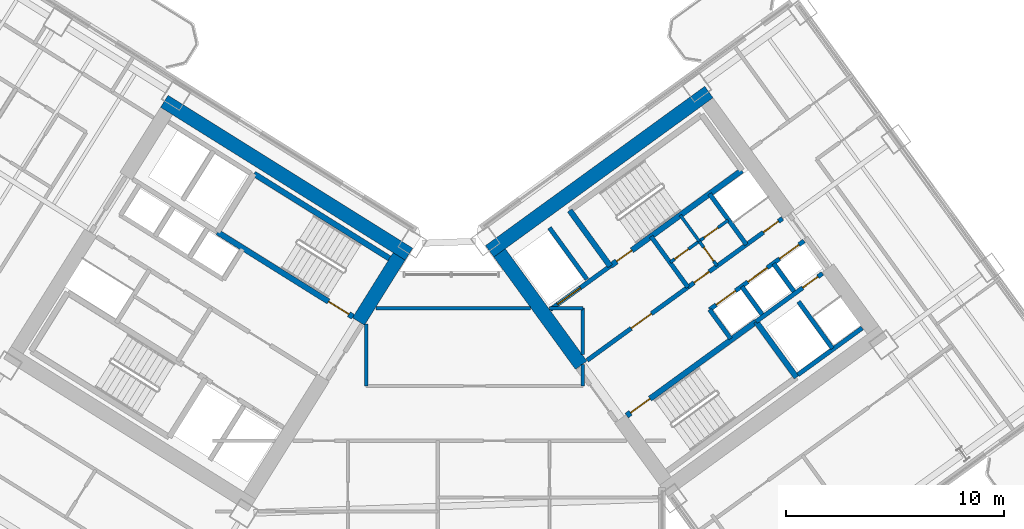
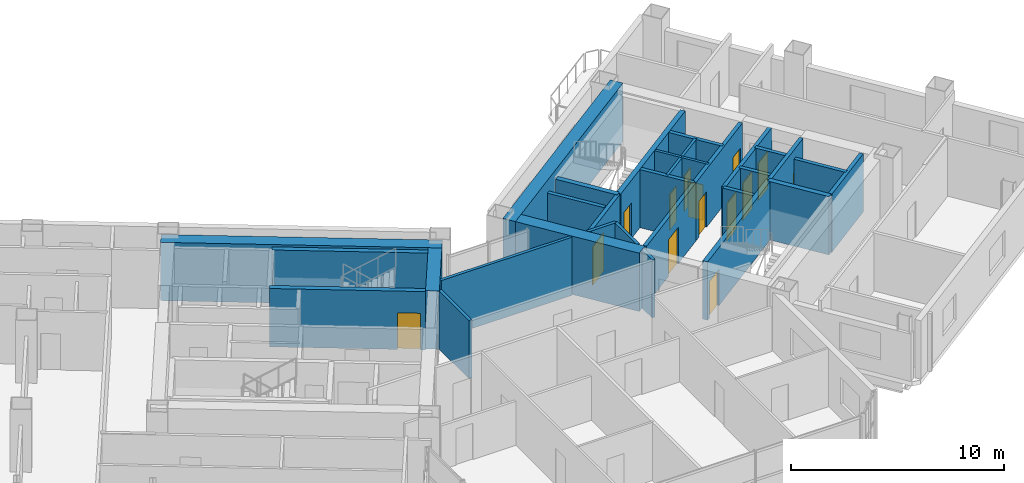
# One storey, part 18 of 28: 31 walls, 14 doors, 14 openings.
"""IFC4 building model written with IfcOpenShell, lengths in metres."""

from ifc_helpers import new_model, si_unit, direction, frame, frame_2d, origin, place, context, subcontext, project, spatial, rectangle, extrude, source, transform, mapped, material, layer, layer_set, type_object, element, fill, save


model = new_model("IFC4")

# Units and contexts
model_context = context("Model", 3, precision=1e-05, world=origin(), true_north=direction((0.0, 1.0)))
body_context = subcontext(model_context, "Body", "Model", "MODEL_VIEW")
ifc_project = project(units=[si_unit("LENGTHUNIT", "METRE"), si_unit("AREAUNIT", "SQUARE_METRE"), si_unit("VOLUMEUNIT", "CUBIC_METRE"), si_unit("PLANEANGLEUNIT", "RADIAN"), si_unit("MASSUNIT", "GRAM", prefix="KILO")], contexts=[model_context])

# Site, building, storey
site_placement = place(None, origin())
site = spatial("IfcSite", under=ifc_project, at=site_placement, CompositionType="ELEMENT")
building_placement = place(site_placement, origin())
building = spatial("IfcBuilding", under=site, at=building_placement, Name="Tlacorven Tower", CompositionType="ELEMENT")
storey_placement = place(building_placement, frame((0.0, 0.0, 42.0)))
storey = spatial("IfcBuildingStorey", under=building, at=storey_placement, Name="L10", CompositionType="ELEMENT", Elevation=42.0)

# Walls
ifc_material_1 = material(Name="Concrete C60/75", Category="concrete")
ifc_layer_1 = layer(ifc_material_1, 0.64990234375)
ifc_layer_set_1 = layer_set([ifc_layer_1], Name="Concrete C60/75")
wall_type_1 = type_object("IfcWallType", Name="WL-COR-650", PredefinedType="SHEAR", material=ifc_layer_set_1)
wall_1_placement = place(storey_placement, frame((40.615478515625, 23.9833984375, 0.0), z_axis=(0.0, 0.0, 1.0), x_axis=(-0.848045953968, 0.529922692436, 0.0)))
element("IfcWall", 1, at=wall_1_placement, inside=storey, type_object=wall_type_1, Name="L10 W core shear wall S1", PredefinedType="SHEAR", context=body_context, shape_type="SweptSolid", body=[
    extrude(rectangle(XDim=13.239990234375, YDim=0.64990234375, at=frame_2d((6.6201171875, 0.0))), origin(), (0.0, 0.0, 1.0), 3.35009765625),
])
wall_2_placement = place(storey_placement, frame((40.167724609375, 23.880126953125, 0.0), z_axis=(0.0, 0.0, 1.0), x_axis=(-0.529893103397, -0.8480644427, 0.0)))
element("IfcWall", 2, at=wall_2_placement, inside=storey, type_object=wall_type_1, Name="L10 W core end wall E1.1", PredefinedType="SHEAR", context=body_context, shape_type="SweptSolid", body=[
    extrude(rectangle(XDim=3.525146484375, YDim=0.64990234375, at=frame_2d((1.7626953125, 0.0))), origin(), (0.0, 0.0, 1.0), 3.35009765625),
])
wall_3_placement = place(storey_placement, frame((44.32470703125, 24.113037109375, 0.0), z_axis=(0.0, 0.0, 1.0), x_axis=(0.809012664862, 0.58779121131, 0.0)))
element("IfcWall", 3, at=wall_3_placement, inside=storey, type_object=wall_type_1, Name="L10 E core shear wall S2", PredefinedType="SHEAR", context=body_context, shape_type="SweptSolid", body=[
    extrude(rectangle(XDim=12.439697265625, YDim=0.64990234375, at=frame_2d((6.2197265625, 0.0))), origin(), (0.0, 0.0, 1.0), 3.35009765625),
])
wall_4_placement = place(storey_placement, frame((48.525634765625, 18.883544921875, 0.0), z_axis=(0.0, 0.0, 1.0), x_axis=(-0.58777996584, 0.809020835181, 0.0)))
element("IfcWall", 4, at=wall_4_placement, inside=storey, type_object=wall_type_1, Name="L10 E core end wall E1.2", PredefinedType="SHEAR", context=body_context, shape_type="SweptSolid", body=[
    extrude(rectangle(XDim=6.375, YDim=0.64990234375, at=frame_2d((3.1875, 0.0))), origin(), (0.0, 0.0, 1.0), 3.35009765625),
])
ifc_material_2 = material(Name="Gypsum plasterboard acoustic partition", Category="gypsum")
ifc_layer_2 = layer(ifc_material_2, 0.159912109375)
ifc_layer_set_2 = layer_set([ifc_layer_2], Name="Gypsum plasterboard acoustic partition")
wall_type_2 = type_object("IfcWallType", Name="WL-DEM-160", PredefinedType="PARTITIONING", material=ifc_layer_set_2)
wall_5_placement = place(storey_placement, frame((38.64990234375, 17.929931640625, 0.0), z_axis=(0.0, 0.0, 1.0), x_axis=(0.0, 1.0, 0.0)))
element("IfcWall", 5, at=wall_5_placement, inside=storey, type_object=wall_type_2, Name="L10 partition 73", PredefinedType="PARTITIONING", context=body_context, shape_type="SweptSolid", body=[
    extrude(rectangle(XDim=2.85693359375, YDim=0.159912109375, at=frame_2d((1.428466796875, 0.0))), origin(), (0.0, 0.0, 1.0), 3.340087890625),
])
wall_6_placement = place(storey_placement, frame((48.60009765625, 17.929931640625, 0.0), z_axis=(0.0, 0.0, 1.0), x_axis=(0.0, 1.0, 0.0)))
element("IfcWall", 6, at=wall_6_placement, inside=storey, type_object=wall_type_2, Name="L10 partition 74", PredefinedType="PARTITIONING", context=body_context, shape_type="SweptSolid", body=[
    extrude(rectangle(XDim=0.99267578125, YDim=0.159912109375, at=frame_2d((0.496337890625, 0.0))), origin(), (0.0, 0.0, 1.0), 3.340087890625),
])
wall_7_placement = place(storey_placement, frame((48.60009765625, 19.380126953125, 0.0), z_axis=(0.0, 0.0, 1.0), x_axis=(0.0, 1.0, 0.0)))
element("IfcWall", 7, at=wall_7_placement, inside=storey, type_object=wall_type_2, Name="L10 partition 74", PredefinedType="PARTITIONING", context=body_context, shape_type="SweptSolid", body=[
    extrude(rectangle(XDim=2.119873046875, YDim=0.159912109375, at=frame_2d((1.06005859375, 0.0))), origin(), (0.0, 0.0, 1.0), 3.340087890625),
])
wall_8_placement = place(storey_placement, frame((39.095458984375, 21.5, 0.0), z_axis=(0.0, 0.0, 1.0), x_axis=(1.0, 0.0, 0.0)))
element("IfcWall", 8, at=wall_8_placement, inside=storey, type_object=wall_type_2, Name="L10 partition 75", PredefinedType="PARTITIONING", context=body_context, shape_type="SweptSolid", body=[
    extrude(rectangle(XDim=7.09423828125, YDim=0.159912109375, at=frame_2d((3.547119140625, 0.0))), origin(), (0.0, 0.0, 1.0), 3.340087890625),
])
wall_9_placement = place(storey_placement, frame((47.059814453125, 21.5, 0.0), z_axis=(0.0, 0.0, 1.0), x_axis=(1.0, 0.0, 0.0)))
element("IfcWall", 9, at=wall_9_placement, inside=storey, type_object=wall_type_2, Name="L10 partition 75", PredefinedType="PARTITIONING", context=body_context, shape_type="SweptSolid", body=[
    extrude(rectangle(XDim=1.540283203125, YDim=0.159912109375, at=frame_2d((0.77001953125, 0.0))), origin(), (0.0, 0.0, 1.0), 3.340087890625),
])

# Wall, opening, door
ifc_material_3 = material(Name="Moisture-resistant gypsum plumbing wall", Category="gypsum")
ifc_layer_3 = layer(ifc_material_3, 0.139892578125)
ifc_layer_set_3 = layer_set([ifc_layer_3], Name="Moisture-resistant gypsum plumbing wall")
wall_type_3 = type_object("IfcWallType", Name="WL-PLM-140", PredefinedType="PLUMBINGWALL", material=ifc_layer_set_3)
wall_10_placement = place(storey_placement, frame((54.767578125, 23.443359375, 0.0), z_axis=(0.0, 0.0, 1.0), x_axis=(-0.587736077749, 0.809052719489, 0.0)))
wall_10 = element("IfcWall", 10, at=wall_10_placement, inside=storey, type_object=wall_type_3, Name="L10 partition 46", PredefinedType="PLUMBINGWALL", context=body_context, shape_type="SweptSolid", body=[
    extrude(rectangle(XDim=1.39990234375, YDim=0.139892578125, at=frame_2d((0.699951171875, 0.0))), origin(), (0.0, 0.0, 1.0), 3.340087890625),
])
opening_1_placement = place(wall_10_placement, frame((0.280029296875, 0.0, 0.0)))
opening_1 = element("IfcOpeningElement", 11, at=opening_1_placement, cuts=wall_10, Name="Opening D22", PredefinedType="OPENING", context=body_context, shape_type="SweptSolid", body=[
    extrude(rectangle(XDim=0.780029296875, YDim=2.050048828125, at=frame_2d((0.39013671875, 1.02490234375))), frame((0.0, 0.080078125, 0.0), z_axis=(0.0, -1.0, 0.0), x_axis=(1.0, 0.0, 0.0)), (0.0, 0.0, 1.0), 0.159912109375),
])
ifc_material_4 = material(Name="Powder-coated aluminium and timber door", Category="wood")
door_type_1 = type_object("IfcDoorType", Name="DR-INT-WET-0780", OperationType="NOTDEFINED", PredefinedType="DOOR", material=ifc_material_4)
shared_shape_1 = source(origin(), body_context, "Body", "SweptSolid", [
    extrude(rectangle(XDim=0.780029296875, YDim=2.050048828125, at=frame_2d((0.39013671875, 1.02490234375))), frame((0.0, 0.02490234375, 0.0), z_axis=(0.0, -1.0, 0.0), x_axis=(1.0, 0.0, 0.0)), (0.0, 0.0, 1.0), 0.050048828125),
])
door_1_placement = place(opening_1_placement, origin())
door_1 = element("IfcDoor", 12, at=door_1_placement, inside=storey, type_object=door_type_1, Name="L10 door 019", OperationType="SINGLE_SWING_RIGHT", OverallHeight=2.050048828125, OverallWidth=0.780029296875, PredefinedType="DOOR", context=body_context, shape_type="MappedRepresentation", body=[
    mapped(shared_shape_1, transform((0.0, 0.0, 0.0), scale=1.0)),
])
fill(opening_1, door_1)

# Wall
wall_11_placement = place(storey_placement, frame((53.94482421875, 24.575927734375, 0.0), z_axis=(0.0, 0.0, 1.0), x_axis=(-0.587897037186, 0.808935766095, 0.0)))
element("IfcWall", 13, at=wall_11_placement, inside=storey, type_object=wall_type_3, Name="L10 partition 47", PredefinedType="PLUMBINGWALL", context=body_context, shape_type="SweptSolid", body=[
    extrude(rectangle(XDim=1.47998046875, YDim=0.139892578125, at=frame_2d((0.739990234375, 0.0))), origin(), (0.0, 0.0, 1.0), 3.340087890625),
])

# Wall, openings, doors
wall_12_placement = place(storey_placement, frame((52.617919921875, 23.612060546875, 0.0), z_axis=(0.0, 0.0, 1.0), x_axis=(0.809009587469, 0.587795446889, 0.0)))
wall_12 = element("IfcWall", 14, at=wall_12_placement, inside=storey, type_object=wall_type_3, Name="L10 partition 48", PredefinedType="PLUMBINGWALL", context=body_context, shape_type="SweptSolid", body=[
    extrude(rectangle(XDim=3.280029296875, YDim=0.139892578125, at=frame_2d((1.64013671875, 0.0))), origin(), (0.0, 0.0, 1.0), 3.340087890625),
])
opening_2_placement = place(wall_12_placement, frame((0.25, 0.0, 0.0)))
opening_2 = element("IfcOpeningElement", 15, at=opening_2_placement, cuts=wall_12, Name="Opening D22", PredefinedType="OPENING", context=body_context, shape_type="SweptSolid", body=[
    extrude(rectangle(XDim=0.780029296875, YDim=2.050048828125, at=frame_2d((0.39013671875, 1.02490234375))), frame((0.0, 0.080078125, 0.0), z_axis=(0.0, -1.0, 0.0), x_axis=(1.0, 0.0, 0.0)), (0.0, 0.0, 1.0), 0.159912109375),
])
opening_3_placement = place(wall_12_placement, frame((1.919921875, 0.0, 0.0)))
opening_3 = element("IfcOpeningElement", 16, at=opening_3_placement, cuts=wall_12, Name="Opening D22", PredefinedType="OPENING", context=body_context, shape_type="SweptSolid", body=[
    extrude(rectangle(XDim=0.780029296875, YDim=2.050048828125, at=frame_2d((0.39013671875, 1.02490234375))), frame((0.0, 0.080078125, 0.0), z_axis=(0.0, -1.0, 0.0), x_axis=(1.0, 0.0, 0.0)), (0.0, 0.0, 1.0), 0.159912109375),
])
door_2_placement = place(opening_2_placement, origin())
door_2 = element("IfcDoor", 17, at=door_2_placement, inside=storey, type_object=door_type_1, Name="L10 door 020", OperationType="SINGLE_SWING_LEFT", OverallHeight=2.050048828125, OverallWidth=0.780029296875, PredefinedType="DOOR", context=body_context, shape_type="MappedRepresentation", body=[
    mapped(shared_shape_1, transform((0.0, 0.0, 0.0), scale=1.0)),
])
fill(opening_2, door_2)
door_3_placement = place(opening_3_placement, origin())
door_3 = element("IfcDoor", 18, at=door_3_placement, inside=storey, type_object=door_type_1, Name="L10 door 021", OperationType="SINGLE_SWING_RIGHT", OverallHeight=2.050048828125, OverallWidth=0.780029296875, PredefinedType="DOOR", context=body_context, shape_type="MappedRepresentation", body=[
    mapped(shared_shape_1, transform((0.0, 0.0, 0.0), scale=1.0)),
])
fill(opening_3, door_3)

# Wall, opening, door
ifc_material_5 = material(Name="Concrete C40/50", Category="concrete")
ifc_layer_4 = layer(ifc_material_5, 0.199951171875)
ifc_layer_set_4 = layer_set([ifc_layer_4], Name="Concrete C40/50")
wall_type_4 = type_object("IfcWallType", Name="WL-SHF-200", PredefinedType="STANDARD", material=ifc_layer_set_4)
wall_13_placement = place(storey_placement, frame((47.10595703125, 21.4365234375, 0.0), z_axis=(0.0, 0.0, 1.0), x_axis=(0.809012514015, 0.58779141893, 0.0)))
wall_13 = element("IfcWall", 19, at=wall_13_placement, inside=storey, type_object=wall_type_4, Name="L10 Core E Firefighting Lift Shaft Front Wall", PredefinedType="STANDARD", context=body_context, shape_type="SweptSolid", body=[
    extrude(rectangle(XDim=3.39794921875, YDim=0.199951171875, at=frame_2d((1.698974609375, 0.0))), origin(), (0.0, 0.0, 1.0), 3.340087890625),
])
opening_4_placement = place(wall_13_placement, frame((0.407958984375, 0.0, 0.0)))
opening_4 = element("IfcOpeningElement", 20, at=opening_4_placement, cuts=wall_13, Name="Opening LD03", PredefinedType="OPENING", context=body_context, shape_type="SweptSolid", body=[
    extrude(rectangle(XDim=1.300048828125, YDim=2.199951171875, at=frame_2d((0.64990234375, 1.10009765625))), frame((0.0, 0.10986328125, 0.0), z_axis=(0.0, -1.0, 0.0), x_axis=(1.0, 0.0, 0.0)), (0.0, 0.0, 1.0), 0.219970703125),
])
ifc_material_6 = material(Name="Fire-rated steel door assembly", Category="steel")
door_type_2 = type_object("IfcDoorType", Name="DR-LFT-SLID-1300", OperationType="DOUBLE_DOOR_SLIDING", PredefinedType="DOOR", material=ifc_material_6)
shared_shape_2 = source(origin(), body_context, "Body", "SweptSolid", [
    extrude(rectangle(XDim=1.300048828125, YDim=2.199951171875, at=frame_2d((0.64990234375, 1.10009765625))), frame((0.0, 0.02490234375, 0.0), z_axis=(0.0, -1.0, 0.0), x_axis=(1.0, 0.0, 0.0)), (0.0, 0.0, 1.0), 0.050048828125),
])
door_4_placement = place(opening_4_placement, origin())
door_4 = element("IfcDoor", 21, at=door_4_placement, inside=storey, type_object=door_type_2, Name="L10 Lift FFL-E1 Sliding Landing Door", OperationType="DOUBLE_DOOR_SLIDING", OverallHeight=2.199951171875, OverallWidth=1.300048828125, PredefinedType="DOOR", context=body_context, shape_type="MappedRepresentation", body=[
    mapped(shared_shape_2, transform((0.0, 0.0, 0.0), scale=1.0)),
])
fill(opening_4, door_4)

wall_14_placement = place(storey_placement, frame((48.798828125, 19.106689453125, 0.0), z_axis=(0.0, 0.0, 1.0), x_axis=(0.809012959416, 0.587790805897, 0.0)))
wall_14 = element("IfcWall", 22, at=wall_14_placement, inside=storey, type_object=wall_type_4, Name="L10 Core E Smoke Lobby Wall", PredefinedType="STANDARD", context=body_context, shape_type="SweptSolid", body=[
    extrude(rectangle(XDim=5.7177734375, YDim=0.199951171875, at=frame_2d((2.85888671875, 0.0))), origin(), (0.0, 0.0, 1.0), 3.340087890625),
])
opening_5_placement = place(wall_14_placement, frame((2.498046875, 0.0, 0.0)))
opening_5 = element("IfcOpeningElement", 23, at=opening_5_placement, cuts=wall_14, Name="Opening D09", PredefinedType="OPENING", context=body_context, shape_type="SweptSolid", body=[
    extrude(rectangle(XDim=1.14990234375, YDim=2.10009765625, at=frame_2d((0.574951171875, 1.050048828125))), frame((0.0, 0.10986328125, 0.0), z_axis=(0.0, -1.0, 0.0), x_axis=(1.0, 0.0, 0.0)), (0.0, 0.0, 1.0), 0.219970703125),
])
door_type_3 = type_object("IfcDoorType", Name="DR-FFL-FD60-1150", OperationType="NOTDEFINED", PredefinedType="DOOR", material=ifc_material_6)
shared_shape_3 = source(origin(), body_context, "Body", "SweptSolid", [
    extrude(rectangle(XDim=1.14990234375, YDim=2.10009765625, at=frame_2d((0.574951171875, 1.050048828125))), frame((0.0, 0.02490234375, 0.0), z_axis=(0.0, -1.0, 0.0), x_axis=(1.0, 0.0, 0.0)), (0.0, 0.0, 1.0), 0.050048828125),
])
door_5_placement = place(opening_5_placement, origin())
door_5 = element("IfcDoor", 24, at=door_5_placement, inside=storey, type_object=door_type_3, Name="L10 Firefighting Lobby E Fire Door", OperationType="SINGLE_SWING_RIGHT", OverallHeight=2.10009765625, OverallWidth=1.14990234375, PredefinedType="DOOR", context=body_context, shape_type="MappedRepresentation", body=[
    mapped(shared_shape_3, transform((0.0, 0.0, 0.0), scale=1.0)),
])
fill(opening_5, door_5)

wall_15_placement = place(storey_placement, frame((56.552978515625, 20.884033203125, 0.0), z_axis=(0.0, 0.0, 1.0), x_axis=(0.809035789462, 0.587759382205, 0.0)))
wall_15 = element("IfcWall", 25, at=wall_15_placement, inside=storey, type_object=wall_type_4, Name="L10 Core E South Lift Shaft Wall", PredefinedType="STANDARD", context=body_context, shape_type="SweptSolid", body=[
    extrude(rectangle(XDim=3.767822265625, YDim=0.199951171875, at=frame_2d((1.8837890625, 0.0))), origin(), (0.0, 0.0, 1.0), 3.340087890625),
])
opening_6_placement = place(wall_15_placement, frame((2.64990234375, 0.0, 0.0)))
opening_6 = element("IfcOpeningElement", 26, at=opening_6_placement, cuts=wall_15, Name="Opening D19", PredefinedType="OPENING", context=body_context, shape_type="SweptSolid", body=[
    extrude(rectangle(XDim=0.860107421875, YDim=2.050048828125, at=frame_2d((0.43017578125, 1.02490234375))), frame((0.0, 0.10986328125, 0.0), z_axis=(0.0, -1.0, 0.0), x_axis=(1.0, 0.0, 0.0)), (0.0, 0.0, 1.0), 0.219970703125),
])
door_type_4 = type_object("IfcDoorType", Name="DR-RSR-FD60-0860", OperationType="NOTDEFINED", PredefinedType="DOOR", material=ifc_material_6)
shared_shape_4 = source(origin(), body_context, "Body", "SweptSolid", [
    extrude(rectangle(XDim=0.860107421875, YDim=2.050048828125, at=frame_2d((0.43017578125, 1.02490234375))), frame((0.0, 0.02490234375, 0.0), z_axis=(0.0, -1.0, 0.0), x_axis=(1.0, 0.0, 0.0)), (0.0, 0.0, 1.0), 0.050048828125),
])
door_6_placement = place(opening_6_placement, origin())
door_6 = element("IfcDoor", 27, at=door_6_placement, inside=storey, type_object=door_type_4, Name="L10 Smoke Extract Riser Access Door", OperationType="SINGLE_SWING_LEFT", OverallHeight=2.050048828125, OverallWidth=0.860107421875, PredefinedType="DOOR", context=body_context, shape_type="MappedRepresentation", body=[
    mapped(shared_shape_4, transform((0.0, 0.0, 0.0), scale=1.0)),
])
fill(opening_6, door_6)

# Wall, openings, doors
wall_16_placement = place(storey_placement, frame((54.421142578125, 21.436279296875, 0.0), z_axis=(0.0, 0.0, 1.0), x_axis=(0.809013710463, 0.587789772183, 0.0)))
wall_16 = element("IfcWall", 28, at=wall_16_placement, inside=storey, type_object=wall_type_4, Name="L10 partition 34", PredefinedType="STANDARD", context=body_context, shape_type="SweptSolid", body=[
    extrude(rectangle(XDim=5.360107421875, YDim=0.199951171875, at=frame_2d((2.68017578125, 0.0))), origin(), (0.0, 0.0, 1.0), 3.340087890625),
])
opening_7_placement = place(wall_16_placement, frame((0.3701171875, 0.0, 0.0)))
opening_7 = element("IfcOpeningElement", 29, at=opening_7_placement, cuts=wall_16, Name="Opening LD01", PredefinedType="OPENING", context=body_context, shape_type="SweptSolid", body=[
    extrude(rectangle(XDim=1.10009765625, YDim=2.14990234375, at=frame_2d((0.550048828125, 1.074951171875))), frame((0.0, 0.10986328125, 0.0), z_axis=(0.0, -1.0, 0.0), x_axis=(1.0, 0.0, 0.0)), (0.0, 0.0, 1.0), 0.219970703125),
])
opening_8_placement = place(wall_16_placement, frame((2.169921875, 0.0, 0.0)))
opening_8 = element("IfcOpeningElement", 30, at=opening_8_placement, cuts=wall_16, Name="Opening LD01", PredefinedType="OPENING", context=body_context, shape_type="SweptSolid", body=[
    extrude(rectangle(XDim=1.10009765625, YDim=2.14990234375, at=frame_2d((0.550048828125, 1.074951171875))), frame((0.0, 0.10986328125, 0.0), z_axis=(0.0, -1.0, 0.0), x_axis=(1.0, 0.0, 0.0)), (0.0, 0.0, 1.0), 0.219970703125),
])
opening_9_placement = place(wall_16_placement, frame((3.969970703125, 0.0, 0.0)))
opening_9 = element("IfcOpeningElement", 31, at=opening_9_placement, cuts=wall_16, Name="Opening LD01", PredefinedType="OPENING", context=body_context, shape_type="SweptSolid", body=[
    extrude(rectangle(XDim=1.10009765625, YDim=2.14990234375, at=frame_2d((0.550048828125, 1.074951171875))), frame((0.0, 0.10986328125, 0.0), z_axis=(0.0, -1.0, 0.0), x_axis=(1.0, 0.0, 0.0)), (0.0, 0.0, 1.0), 0.219970703125),
])
door_type_5 = type_object("IfcDoorType", Name="DR-LFT-SLID-1100", OperationType="DOUBLE_DOOR_SLIDING", PredefinedType="DOOR", material=ifc_material_6)
shared_shape_5 = source(origin(), body_context, "Body", "SweptSolid", [
    extrude(rectangle(XDim=1.10009765625, YDim=2.14990234375, at=frame_2d((0.550048828125, 1.074951171875))), frame((0.0, 0.02490234375, 0.0), z_axis=(0.0, -1.0, 0.0), x_axis=(1.0, 0.0, 0.0)), (0.0, 0.0, 1.0), 0.050048828125),
])
door_7_placement = place(opening_7_placement, origin())
door_7 = element("IfcDoor", 32, at=door_7_placement, inside=storey, type_object=door_type_5, Name="L10 Lift PL-L1 Sliding Landing Door", OperationType="DOUBLE_DOOR_SLIDING", OverallHeight=2.14990234375, OverallWidth=1.10009765625, PredefinedType="DOOR", context=body_context, shape_type="MappedRepresentation", body=[
    mapped(shared_shape_5, transform((0.0, 0.0, 0.0), scale=1.0)),
])
fill(opening_7, door_7)
door_8_placement = place(opening_8_placement, origin())
door_8 = element("IfcDoor", 33, at=door_8_placement, inside=storey, type_object=door_type_5, Name="L10 Lift PL-L2 Sliding Landing Door", OperationType="DOUBLE_DOOR_SLIDING", OverallHeight=2.14990234375, OverallWidth=1.10009765625, PredefinedType="DOOR", context=body_context, shape_type="MappedRepresentation", body=[
    mapped(shared_shape_5, transform((0.0, 0.0, 0.0), scale=1.0)),
])
fill(opening_8, door_8)
door_9_placement = place(opening_9_placement, origin())
door_9 = element("IfcDoor", 34, at=door_9_placement, inside=storey, type_object=door_type_5, Name="L10 Lift PL-L3 Sliding Landing Door", OperationType="DOUBLE_DOOR_SLIDING", OverallHeight=2.14990234375, OverallWidth=1.10009765625, PredefinedType="DOOR", context=body_context, shape_type="MappedRepresentation", body=[
    mapped(shared_shape_5, transform((0.0, 0.0, 0.0), scale=1.0)),
])
fill(opening_9, door_9)

# Walls
wall_17_placement = place(storey_placement, frame((55.390869140625, 20.1015625, 0.0), z_axis=(0.0, 0.0, 1.0), x_axis=(-0.58778447739, 0.809017557374, 0.0)))
element("IfcWall", 35, at=wall_17_placement, inside=storey, type_object=wall_type_4, Name="L10 partition 35", PredefinedType="STANDARD", context=body_context, shape_type="SweptSolid", body=[
    extrude(rectangle(XDim=1.64990234375, YDim=0.199951171875, at=frame_2d((0.824951171875, 0.0))), origin(), (0.0, 0.0, 1.0), 3.340087890625),
])
wall_18_placement = place(storey_placement, frame((48.78564453125, 22.830078125, 0.0), z_axis=(0.0, 0.0, 1.0), x_axis=(-0.587783856777, 0.809018008275, 0.0)))
element("IfcWall", 36, at=wall_18_placement, inside=storey, type_object=wall_type_4, Name="L10 partition 36", PredefinedType="STANDARD", context=body_context, shape_type="SweptSolid", body=[
    extrude(rectangle(XDim=2.919921875, YDim=0.199951171875, at=frame_2d((1.4599609375, 0.0))), origin(), (0.0, 0.0, 1.0), 3.340087890625),
])
wall_19_placement = place(storey_placement, frame((56.833984375, 21.211669921875, 0.0), z_axis=(0.0, 0.0, 1.0), x_axis=(-0.58776738483, 0.809029975545, 0.0)))
element("IfcWall", 37, at=wall_19_placement, inside=storey, type_object=wall_type_4, Name="L10 partition 37", PredefinedType="STANDARD", context=body_context, shape_type="SweptSolid", body=[
    extrude(rectangle(XDim=1.580078125, YDim=0.199951171875, at=frame_2d((0.7900390625, 0.0))), origin(), (0.0, 0.0, 1.0), 3.340087890625),
])
wall_20_placement = place(storey_placement, frame((58.290283203125, 22.269775390625, 0.0), z_axis=(0.0, 0.0, 1.0), x_axis=(-0.587840865826, 0.808976585857, 0.0)))
element("IfcWall", 38, at=wall_20_placement, inside=storey, type_object=wall_type_4, Name="L10 partition 38", PredefinedType="STANDARD", context=body_context, shape_type="SweptSolid", body=[
    extrude(rectangle(XDim=1.579833984375, YDim=0.199951171875, at=frame_2d((0.7900390625, 0.0))), origin(), (0.0, 0.0, 1.0), 3.340087890625),
])
wall_21_placement = place(storey_placement, frame((60.066650390625, 19.654541015625, 0.0), z_axis=(0.0, 0.0, 1.0), x_axis=(-0.587800520745, 0.809005900975, 0.0)))
element("IfcWall", 39, at=wall_21_placement, inside=storey, type_object=wall_type_4, Name="L10 partition 39", PredefinedType="STANDARD", context=body_context, shape_type="SweptSolid", body=[
    extrude(rectangle(XDim=2.659912109375, YDim=0.199951171875, at=frame_2d((1.330078125, 0.0))), origin(), (0.0, 0.0, 1.0), 3.340087890625),
])
wall_22_placement = place(storey_placement, frame((58.47216796875, 18.446533203125, 0.0), z_axis=(0.0, 0.0, 1.0), x_axis=(0.809022487728, 0.587777691266, 0.0)))
element("IfcWall", 40, at=wall_22_placement, inside=storey, type_object=wall_type_4, Name="L10 partition 41", PredefinedType="STANDARD", context=body_context, shape_type="SweptSolid", body=[
    extrude(rectangle(XDim=3.648193359375, YDim=0.199951171875, at=frame_2d((1.82421875, 0.0))), origin(), (0.0, 0.0, 1.0), 3.340087890625),
])
wall_23_placement = place(storey_placement, frame((53.424560546875, 22.467529296875, 0.0), z_axis=(0.0, 0.0, 1.0), x_axis=(-0.5877230039, 0.809062216821, 0.0)))
element("IfcWall", 41, at=wall_23_placement, inside=storey, type_object=wall_type_4, Name="L10 partition 43", PredefinedType="STANDARD", context=body_context, shape_type="SweptSolid", body=[
    extrude(rectangle(XDim=2.8798828125, YDim=0.199951171875, at=frame_2d((1.43994140625, 0.0))), origin(), (0.0, 0.0, 1.0), 3.340087890625),
])
wall_24_placement = place(storey_placement, frame((56.110595703125, 24.4189453125, 0.0), z_axis=(0.0, 0.0, 1.0), x_axis=(-0.58777848983, 0.809021907548, 0.0)))
element("IfcWall", 42, at=wall_24_placement, inside=storey, type_object=wall_type_4, Name="L10 partition 44", PredefinedType="STANDARD", context=body_context, shape_type="SweptSolid", body=[
    extrude(rectangle(XDim=2.880126953125, YDim=0.199951171875, at=frame_2d((1.43994140625, 0.0))), origin(), (0.0, 0.0, 1.0), 3.340087890625),
])

# Wall, openings, doors
wall_25_placement = place(storey_placement, frame((53.424560546875, 22.467529296875, 0.0), z_axis=(0.0, 0.0, 1.0), x_axis=(0.80902705128, 0.587771409902, 0.0)))
wall_25 = element("IfcWall", 43, at=wall_25_placement, inside=storey, type_object=wall_type_4, Name="L10 Core E North Service Wall", PredefinedType="STANDARD", context=body_context, shape_type="SweptSolid", body=[
    extrude(rectangle(XDim=5.3681640625, YDim=0.199951171875, at=frame_2d((2.68408203125, 0.0))), origin(), (0.0, 0.0, 1.0), 3.340087890625),
])
opening_10_placement = place(wall_25_placement, frame((4.280029296875, 0.0, 0.0)))
opening_10 = element("IfcOpeningElement", 44, at=opening_10_placement, cuts=wall_25, Name="Opening D19", PredefinedType="OPENING", context=body_context, shape_type="SweptSolid", body=[
    extrude(rectangle(XDim=0.860107421875, YDim=2.050048828125, at=frame_2d((0.43017578125, 1.02490234375))), frame((0.0, 0.10986328125, 0.0), z_axis=(0.0, -1.0, 0.0), x_axis=(1.0, 0.0, 0.0)), (0.0, 0.0, 1.0), 0.219970703125),
])
opening_11_placement = place(wall_25_placement, frame((0.35009765625, 0.0, 0.0)))
opening_11 = element("IfcOpeningElement", 45, at=opening_11_placement, cuts=wall_25, Name="Opening D19", PredefinedType="OPENING", context=body_context, shape_type="SweptSolid", body=[
    extrude(rectangle(XDim=0.860107421875, YDim=2.050048828125, at=frame_2d((0.43017578125, 1.02490234375))), frame((0.0, 0.10986328125, 0.0), z_axis=(0.0, -1.0, 0.0), x_axis=(1.0, 0.0, 0.0)), (0.0, 0.0, 1.0), 0.219970703125),
])
door_10_placement = place(opening_10_placement, frame((0.860107421875, 0.0, 0.0), z_axis=(0.0, 0.0, 1.0), x_axis=(-1.0, 0.0, 0.0)))
door_10 = element("IfcDoor", 46, at=door_10_placement, inside=storey, type_object=door_type_4, Name="L10 Electrical Riser Access Door E", OperationType="SINGLE_SWING_RIGHT", OverallHeight=2.050048828125, OverallWidth=0.860107421875, PredefinedType="DOOR", context=body_context, shape_type="MappedRepresentation", body=[
    mapped(shared_shape_4, transform((0.0, 0.0, 0.0), scale=1.0)),
])
fill(opening_10, door_10)
door_11_placement = place(opening_11_placement, frame((0.860107421875, 0.0, 0.0), z_axis=(0.0, 0.0, 1.0), x_axis=(-1.0, 0.0, 0.0)))
door_11 = element("IfcDoor", 47, at=door_11_placement, inside=storey, type_object=door_type_4, Name="L10 Cleaning Room Access Door E", OperationType="SINGLE_SWING_LEFT", OverallHeight=2.050048828125, OverallWidth=0.860107421875, PredefinedType="DOOR", context=body_context, shape_type="MappedRepresentation", body=[
    mapped(shared_shape_4, transform((0.0, 0.0, 0.0), scale=1.0)),
])
fill(opening_11, door_11)

# Wall
ifc_material_7 = material(Name="Concrete C50/60", Category="concrete")
ifc_layer_5 = layer(ifc_material_7, 0.260009765625)
ifc_layer_set_5 = layer_set([ifc_layer_5], Name="Concrete C50/60")
wall_type_5 = type_object("IfcWallType", Name="WL-STW-260", PredefinedType="SHEAR", material=ifc_layer_set_5)
wall_26_placement = place(storey_placement, frame((39.720947265625, 23.787841796875, 0.0), z_axis=(0.0, 0.0, 1.0), x_axis=(-0.848054434086, 0.529909121291, 0.0)))
element("IfcWall", 48, at=wall_26_placement, inside=storey, type_object=wall_type_5, Name="L10 Stair W2 Far Shear Wall", PredefinedType="SHEAR", context=body_context, shape_type="SweptSolid", body=[
    extrude(rectangle(XDim=7.330078125, YDim=0.260009765625, at=frame_2d((3.6650390625, 0.0))), origin(), (0.0, 0.0, 1.0), 3.35009765625),
])

# Wall, opening, door
wall_27_placement = place(storey_placement, frame((38.04638671875, 21.10791015625, 0.0), z_axis=(0.0, 0.0, 1.0), x_axis=(-0.848054434086, 0.529909121291, 0.0)))
wall_27 = element("IfcWall", 49, at=wall_27_placement, inside=storey, type_object=wall_type_5, Name="L10 Stair W2 Lobby Shear Wall", PredefinedType="SHEAR", context=body_context, shape_type="SweptSolid", body=[
    extrude(rectangle(XDim=7.330078125, YDim=0.260009765625, at=frame_2d((3.6650390625, 0.0))), origin(), (0.0, 0.0, 1.0), 3.35009765625),
])
opening_12_placement = place(wall_27_placement, frame((0.219970703125, 0.0, 0.0)))
opening_12 = element("IfcOpeningElement", 50, at=opening_12_placement, cuts=wall_27, Name="Opening D07", PredefinedType="OPENING", context=body_context, shape_type="SweptSolid", body=[
    extrude(rectangle(XDim=1.10009765625, YDim=2.10009765625, at=frame_2d((0.550048828125, 1.050048828125))), frame((0.0, 0.14013671875, 0.0), z_axis=(0.0, -1.0, 0.0), x_axis=(1.0, 0.0, 0.0)), (0.0, 0.0, 1.0), 0.280029296875),
])
door_type_6 = type_object("IfcDoorType", Name="DR-STR-FD90-1100", OperationType="NOTDEFINED", PredefinedType="DOOR", material=ifc_material_6)
shared_shape_6 = source(origin(), body_context, "Body", "SweptSolid", [
    extrude(rectangle(XDim=1.10009765625, YDim=2.10009765625, at=frame_2d((0.550048828125, 1.050048828125))), frame((0.0, 0.02490234375, 0.0), z_axis=(0.0, -1.0, 0.0), x_axis=(1.0, 0.0, 0.0)), (0.0, 0.0, 1.0), 0.050048828125),
])
door_12_placement = place(opening_12_placement, origin())
door_12 = element("IfcDoor", 51, at=door_12_placement, inside=storey, type_object=door_type_6, Name="L10 Exit Stair W2 Fire Door", OperationType="SINGLE_SWING_LEFT", OverallHeight=2.10009765625, OverallWidth=1.10009765625, PredefinedType="DOOR", context=body_context, shape_type="MappedRepresentation", body=[
    mapped(shared_shape_6, transform((0.0, 0.0, 0.0), scale=1.0)),
])
fill(opening_12, door_12)

wall_28_placement = place(storey_placement, frame((49.863037109375, 23.439697265625, 0.0), z_axis=(0.0, 0.0, 1.0), x_axis=(0.809003474932, 0.587803859759, 0.0)))
wall_28 = element("IfcWall", 52, at=wall_28_placement, inside=storey, type_object=wall_type_5, Name="L10 Stair E1 Lobby Shear Wall", PredefinedType="SHEAR", context=body_context, shape_type="SweptSolid", body=[
    extrude(rectangle(XDim=7.4599609375, YDim=0.260009765625, at=frame_2d((3.72998046875, 0.0))), origin(), (0.0, 0.0, 1.0), 3.35009765625),
])
opening_13_placement = place(wall_28_placement, frame((0.360107421875, 0.0, 0.0)))
opening_13 = element("IfcOpeningElement", 53, at=opening_13_placement, cuts=wall_28, Name="Opening D19", PredefinedType="OPENING", context=body_context, shape_type="SweptSolid", body=[
    extrude(rectangle(XDim=0.860107421875, YDim=2.050048828125, at=frame_2d((0.43017578125, 1.02490234375))), frame((0.0, 0.14013671875, 0.0), z_axis=(0.0, -1.0, 0.0), x_axis=(1.0, 0.0, 0.0)), (0.0, 0.0, 1.0), 0.280029296875),
])
door_13_placement = place(opening_13_placement, frame((0.860107421875, 0.0, 0.0), z_axis=(0.0, 0.0, 1.0), x_axis=(-1.0, 0.0, 0.0)))
door_13 = element("IfcDoor", 54, at=door_13_placement, inside=storey, type_object=door_type_4, Name="L10 Exit Stair E1 Fire Door", OperationType="SINGLE_SWING_LEFT", OverallHeight=2.050048828125, OverallWidth=0.860107421875, PredefinedType="DOOR", context=body_context, shape_type="MappedRepresentation", body=[
    mapped(shared_shape_4, transform((0.0, 0.0, 0.0), scale=1.0)),
])
fill(opening_13, door_13)

# Wall
wall_29_placement = place(storey_placement, frame((49.85498046875, 23.433837890625, 0.0), z_axis=(0.0, 0.0, 1.0), x_axis=(-0.58776738483, 0.809029975545, 0.0)))
element("IfcWall", 55, at=wall_29_placement, inside=storey, type_object=wall_type_5, Name="L10 Stair E1 West Shear Wall", PredefinedType="SHEAR", context=body_context, shape_type="SweptSolid", body=[
    extrude(rectangle(XDim=3.16015625, YDim=0.260009765625, at=frame_2d((1.580078125, 0.0))), origin(), (0.0, 0.0, 1.0), 3.35009765625),
])

# Wall, opening, door
wall_30_placement = place(storey_placement, frame((50.61474609375, 16.569580078125, 0.0), z_axis=(0.0, 0.0, 1.0), x_axis=(0.809028366311, 0.587769599847, 0.0)))
wall_30 = element("IfcWall", 56, at=wall_30_placement, inside=storey, type_object=wall_type_5, Name="L10 Stair E2 Lobby Shear Wall", PredefinedType="SHEAR", context=body_context, shape_type="SweptSolid", body=[
    extrude(rectangle(XDim=7.330078125, YDim=0.260009765625, at=frame_2d((3.6650390625, 0.0))), origin(), (0.0, 0.0, 1.0), 3.35009765625),
])
opening_14_placement = place(wall_30_placement, frame((0.219970703125, 0.0, 0.0)))
opening_14 = element("IfcOpeningElement", 57, at=opening_14_placement, cuts=wall_30, Name="Opening D07", PredefinedType="OPENING", context=body_context, shape_type="SweptSolid", body=[
    extrude(rectangle(XDim=1.10009765625, YDim=2.10009765625, at=frame_2d((0.550048828125, 1.050048828125))), frame((0.0, 0.14013671875, 0.0), z_axis=(0.0, -1.0, 0.0), x_axis=(1.0, 0.0, 0.0)), (0.0, 0.0, 1.0), 0.280029296875),
])
door_14_placement = place(opening_14_placement, origin())
door_14 = element("IfcDoor", 58, at=door_14_placement, inside=storey, type_object=door_type_6, Name="L10 Exit Stair E2 Fire Door", OperationType="SINGLE_SWING_LEFT", OverallHeight=2.10009765625, OverallWidth=1.10009765625, PredefinedType="DOOR", context=body_context, shape_type="MappedRepresentation", body=[
    mapped(shared_shape_6, transform((0.0, 0.0, 0.0), scale=1.0)),
])
fill(opening_14, door_14)

# Wall
wall_31_placement = place(storey_placement, frame((58.410400390625, 18.327392578125, 0.0), z_axis=(0.0, 0.0, 1.0), x_axis=(-0.58776738483, 0.809029975545, 0.0)))
element("IfcWall", 59, at=wall_31_placement, inside=storey, type_object=wall_type_5, Name="L10 Stair E2 East Shear Wall", PredefinedType="SHEAR", context=body_context, shape_type="SweptSolid", body=[
    extrude(rectangle(XDim=3.16015625, YDim=0.260009765625, at=frame_2d((1.580078125, 0.0))), origin(), (0.0, 0.0, 1.0), 3.35009765625),
])

save(model, "model.ifc")
